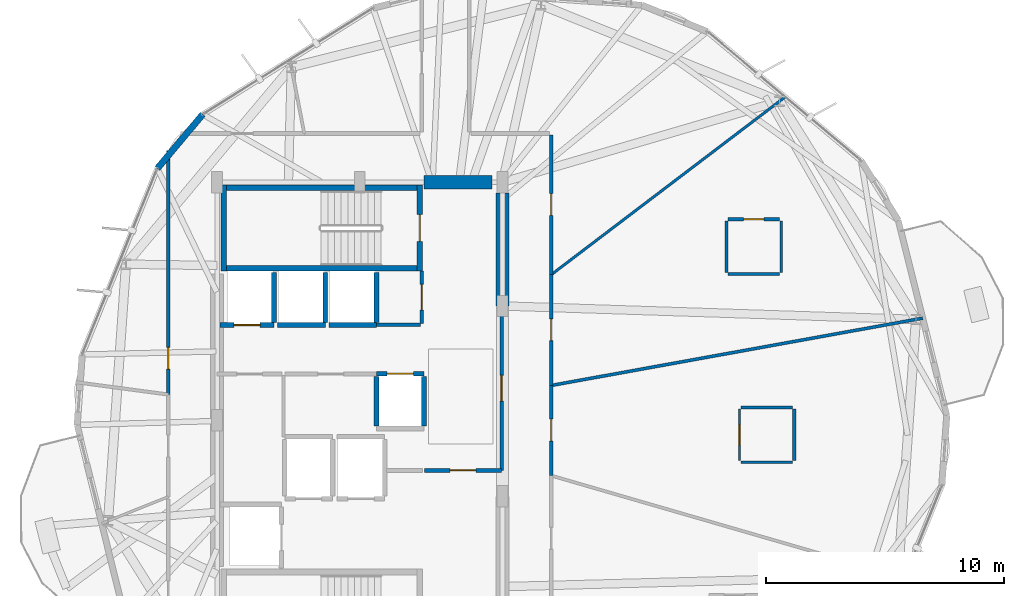
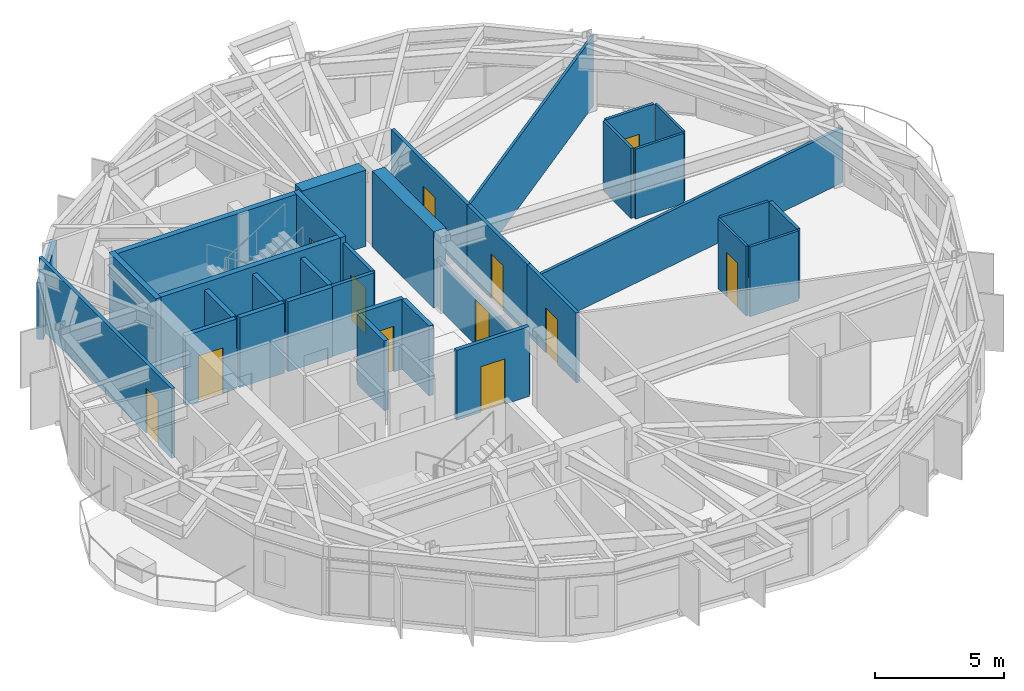
# One storey, part 17 of 22: 34 walls, 12 doors, 12 openings.
"""IFC4 building model written with IfcOpenShell, lengths in metres."""

from ifc_helpers import new_model, si_unit, direction, frame, frame_2d, origin, place, context, subcontext, project, spatial, rectangle, extrude, material, layer, layer_set, type_object, element, fill, save


model = new_model("IFC4")

# Units and contexts
model_context = context("Model", 3, precision=1e-05, world=origin(), true_north=direction((0.0, 1.0)))
body_context = subcontext(model_context, "Body", "Model", "MODEL_VIEW")
ifc_project = project(units=[si_unit("LENGTHUNIT", "METRE"), si_unit("AREAUNIT", "SQUARE_METRE"), si_unit("VOLUMEUNIT", "CUBIC_METRE"), si_unit("PLANEANGLEUNIT", "RADIAN"), si_unit("MASSUNIT", "GRAM", prefix="KILO")], contexts=[model_context])

# Site, building, storey
site_placement = place(None, origin())
site = spatial("IfcSite", under=ifc_project, at=site_placement, CompositionType="ELEMENT")
building_placement = place(site_placement, origin())
building = spatial("IfcBuilding", under=site, at=building_placement, Name="Soratama Intermodal Tower", CompositionType="ELEMENT")
storey_placement = place(building_placement, frame((0.0, 0.0, 157.0)))
storey = spatial("IfcBuildingStorey", under=building, at=storey_placement, Name="L38", CompositionType="ELEMENT", Elevation=157.0)

# Wall
ifc_material_1 = material(Name="Concrete f'c 42 MPa", Category="concrete")
ifc_layer_1 = layer(ifc_material_1, 0.27001953125)
ifc_layer_set_1 = layer_set([ifc_layer_1], Name="Concrete f'c 42 MPa")
wall_type_1 = type_object("IfcWallType", Name="EW-CRN-270", PredefinedType="SOLIDWALL", material=ifc_layer_set_1)
wall_1_placement = place(storey_placement, frame((31.9990234375, 37.853515625, 0.0), z_axis=(0.0, 0.0, 1.0), x_axis=(-0.643085925087, -0.765794027762, 0.0)))
element("IfcWall", 1, at=wall_1_placement, inside=storey, type_object=wall_type_1, Name="L38 Corner Closure Wall 03", PredefinedType="SOLIDWALL", context=body_context, shape_type="SweptSolid", body=[
    extrude(rectangle(XDim=2.966552734375, YDim=0.27001953125, at=frame_2d((1.4833984375, 0.0))), origin(), (0.0, 0.0, 1.0), 2.678955078125),
])

# Wall, opening, door
ifc_material_2 = material(Name="Fire-rated gypsum stud partition", Category="concrete")
ifc_layer_2 = layer(ifc_material_2, 0.14990234375)
ifc_layer_set_2 = layer_set([ifc_layer_2], Name="Fire-rated gypsum stud partition")
wall_type_2 = type_object("IfcWallType", Name="IW-PART-R150", PredefinedType="PARTITIONING", material=ifc_layer_set_2)
wall_2_placement = place(storey_placement, frame((30.550048828125, 26.076904296875, 0.0), z_axis=(0.0, 0.0, 1.0), x_axis=(0.0, 1.0, 0.0)))
wall_2 = element("IfcWall", 2, at=wall_2_placement, inside=storey, type_object=wall_type_2, Name="L38 Partition W-L38-TP005", PredefinedType="PARTITIONING", context=body_context, shape_type="SweptSolid", body=[
    extrude(rectangle(XDim=10.26708984375, YDim=0.14990234375, at=frame_2d((5.133544921875, 0.0))), origin(), (0.0, 0.0, 1.0), 3.300048828125),
])
opening_1_placement = place(wall_2_placement, frame((1.06494140625, 0.0, 0.0)))
opening_1 = element("IfcOpeningElement", 3, at=opening_1_placement, cuts=wall_2, Name="Opening ID-6", PredefinedType="OPENING", context=body_context, shape_type="SweptSolid", body=[
    extrude(rectangle(XDim=0.919921875, YDim=2.1201171875, at=frame_2d((0.4599609375, 1.06005859375))), frame((0.0, 0.0849609375, 0.0), z_axis=(0.0, -1.0, 0.0), x_axis=(1.0, 0.0, 0.0)), (0.0, 0.0, 1.0), 0.169921875),
])
ifc_material_3 = material(Name="Solid hardwood acoustic door", Category="wood")
door_type_1 = type_object("IfcDoorType", Name="DR-ROOM-920", OperationType="NOTDEFINED", PredefinedType="DOOR", material=ifc_material_3)
door_1_placement = place(opening_1_placement, origin())
door_1 = element("IfcDoor", 4, at=door_1_placement, inside=storey, type_object=door_type_1, Name="L38 Door D-L38-TP001", OperationType="SINGLE_SWING_RIGHT", OverallHeight=2.1201171875, OverallWidth=0.919921875, PredefinedType="DOOR", context=body_context, shape_type="SweptSolid", body=[
    extrude(rectangle(XDim=0.919921875, YDim=2.1201171875, at=frame_2d((0.4599609375, 1.06005859375))), frame((0.0, 0.02490234375, 0.0), z_axis=(0.0, -1.0, 0.0), x_axis=(1.0, 0.0, 0.0)), (0.0, 0.0, 1.0), 0.050048828125),
])
fill(opening_1, door_1)

wall_3_placement = place(storey_placement, frame((44.56005859375, 29.800048828125, 0.0), z_axis=(0.0, 0.0, 1.0), x_axis=(0.0, -1.0, 0.0)))
wall_3 = element("IfcWall", 5, at=wall_3_placement, inside=storey, type_object=wall_type_2, Name="L38 Partition W-L38-TP007", PredefinedType="PARTITIONING", context=body_context, shape_type="SweptSolid", body=[
    extrude(rectangle(XDim=6.91015625, YDim=0.14990234375, at=frame_2d((3.455078125, 0.0))), origin(), (0.0, 0.0, 1.0), 2.340087890625),
])
opening_2_placement = place(wall_3_placement, frame((2.9150390625, 0.0, 0.0)))
opening_2 = element("IfcOpeningElement", 6, at=opening_2_placement, cuts=wall_3, Name="Opening ID-1", PredefinedType="OPENING", context=body_context, shape_type="SweptSolid", body=[
    extrude(rectangle(XDim=1.080078125, YDim=2.14990234375, at=frame_2d((0.5400390625, 1.074951171875))), frame((0.0, 0.0849609375, 0.0), z_axis=(0.0, -1.0, 0.0), x_axis=(1.0, 0.0, 0.0)), (0.0, 0.0, 1.0), 0.169921875),
])
ifc_material_4 = material(Name="Solid hardwood acoustic door", Category="wood")
door_type_2 = type_object("IfcDoorType", Name="DR-LOB-FD60", OperationType="NOTDEFINED", PredefinedType="DOOR", material=ifc_material_4)
door_2_placement = place(opening_2_placement, origin())
door_2 = element("IfcDoor", 7, at=door_2_placement, inside=storey, type_object=door_type_2, Name="L38 Door D-L38-TP003", OperationType="SINGLE_SWING_RIGHT", OverallHeight=2.14990234375, OverallWidth=1.080078125, PredefinedType="DOOR", context=body_context, shape_type="SweptSolid", body=[
    extrude(rectangle(XDim=1.080078125, YDim=2.14990234375, at=frame_2d((0.5400390625, 1.074951171875))), frame((0.0, 0.02490234375, 0.0), z_axis=(0.0, -1.0, 0.0), x_axis=(1.0, 0.0, 0.0)), (0.0, 0.0, 1.0), 0.050048828125),
])
fill(opening_2, door_2)

wall_4_placement = place(storey_placement, frame((46.64990234375, 36.97998046875, 0.0), z_axis=(0.0, 0.0, 1.0), x_axis=(0.0, -1.0, 0.0)))
wall_4 = element("IfcWall", 8, at=wall_4_placement, inside=storey, type_object=wall_type_2, Name="L38 Partition W-L38-TP009", PredefinedType="PARTITIONING", context=body_context, shape_type="SweptSolid", body=[
    extrude(rectangle(XDim=5.864990234375, YDim=0.14990234375, at=frame_2d((2.9326171875, 0.0))), origin(), (0.0, 0.0, 1.0), 3.300048828125),
])
opening_3_placement = place(wall_4_placement, frame((2.45703125, 0.0, 0.0)))
opening_3 = element("IfcOpeningElement", 9, at=opening_3_placement, cuts=wall_4, Name="Opening ID-6", PredefinedType="OPENING", context=body_context, shape_type="SweptSolid", body=[
    extrude(rectangle(XDim=0.919921875, YDim=2.1201171875, at=frame_2d((0.4599609375, 1.06005859375))), frame((0.0, 0.0849609375, 0.0), z_axis=(0.0, -1.0, 0.0), x_axis=(1.0, 0.0, 0.0)), (0.0, 0.0, 1.0), 0.169921875),
])
door_3_placement = place(opening_3_placement, origin())
door_3 = element("IfcDoor", 10, at=door_3_placement, inside=storey, type_object=door_type_1, Name="L38 Door D-L38-TP005", OperationType="SINGLE_SWING_RIGHT", OverallHeight=2.1201171875, OverallWidth=0.919921875, PredefinedType="DOOR", context=body_context, shape_type="SweptSolid", body=[
    extrude(rectangle(XDim=0.919921875, YDim=2.1201171875, at=frame_2d((0.4599609375, 1.06005859375))), frame((0.0, 0.02490234375, 0.0), z_axis=(0.0, -1.0, 0.0), x_axis=(1.0, 0.0, 0.0)), (0.0, 0.0, 1.0), 0.050048828125),
])
fill(opening_3, door_3)

wall_5_placement = place(storey_placement, frame((46.64990234375, 31.114990234375, 0.0), z_axis=(0.0, 0.0, 1.0), x_axis=(0.0, -1.0, 0.0)))
wall_5 = element("IfcWall", 11, at=wall_5_placement, inside=storey, type_object=wall_type_2, Name="L38 Partition W-L38-TP018", PredefinedType="PARTITIONING", context=body_context, shape_type="SweptSolid", body=[
    extrude(rectangle(XDim=4.656982421875, YDim=0.14990234375, at=frame_2d((2.32861328125, 0.0))), origin(), (0.0, 0.0, 1.0), 3.300048828125),
])
opening_4_placement = place(wall_5_placement, frame((1.85302734375, 0.0, 0.0)))
opening_4 = element("IfcOpeningElement", 12, at=opening_4_placement, cuts=wall_5, Name="Opening ID-6", PredefinedType="OPENING", context=body_context, shape_type="SweptSolid", body=[
    extrude(rectangle(XDim=0.919921875, YDim=2.1201171875, at=frame_2d((0.4599609375, 1.06005859375))), frame((0.0, 0.0849609375, 0.0), z_axis=(0.0, -1.0, 0.0), x_axis=(1.0, 0.0, 0.0)), (0.0, 0.0, 1.0), 0.169921875),
])
door_4_placement = place(opening_4_placement, origin())
door_4 = element("IfcDoor", 13, at=door_4_placement, inside=storey, type_object=door_type_1, Name="L38 Door D-L38-TP011", OperationType="SINGLE_SWING_RIGHT", OverallHeight=2.1201171875, OverallWidth=0.919921875, PredefinedType="DOOR", context=body_context, shape_type="SweptSolid", body=[
    extrude(rectangle(XDim=0.919921875, YDim=2.1201171875, at=frame_2d((0.4599609375, 1.06005859375))), frame((0.0, 0.02490234375, 0.0), z_axis=(0.0, -1.0, 0.0), x_axis=(1.0, 0.0, 0.0)), (0.0, 0.0, 1.0), 0.050048828125),
])
fill(opening_4, door_4)

wall_6_placement = place(storey_placement, frame((46.64990234375, 26.4580078125, 0.0), z_axis=(0.0, 0.0, 1.0), x_axis=(0.0, -1.0, 0.0)))
wall_6 = element("IfcWall", 14, at=wall_6_placement, inside=storey, type_object=wall_type_2, Name="L38 Partition W-L38-TP023", PredefinedType="PARTITIONING", context=body_context, shape_type="SweptSolid", body=[
    extrude(rectangle(XDim=3.7900390625, YDim=0.14990234375, at=frame_2d((1.89501953125, 0.0))), origin(), (0.0, 0.0, 1.0), 3.300048828125),
])
opening_5_placement = place(wall_6_placement, frame((1.419921875, 0.0, 0.0)))
opening_5 = element("IfcOpeningElement", 15, at=opening_5_placement, cuts=wall_6, Name="Opening ID-6", PredefinedType="OPENING", context=body_context, shape_type="SweptSolid", body=[
    extrude(rectangle(XDim=0.919921875, YDim=2.1201171875, at=frame_2d((0.4599609375, 1.06005859375))), frame((0.0, 0.0849609375, 0.0), z_axis=(0.0, -1.0, 0.0), x_axis=(1.0, 0.0, 0.0)), (0.0, 0.0, 1.0), 0.169921875),
])
door_5_placement = place(opening_5_placement, origin())
door_5 = element("IfcDoor", 16, at=door_5_placement, inside=storey, type_object=door_type_1, Name="L38 Door D-L38-TP014", OperationType="SINGLE_SWING_LEFT", OverallHeight=2.1201171875, OverallWidth=0.919921875, PredefinedType="DOOR", context=body_context, shape_type="SweptSolid", body=[
    extrude(rectangle(XDim=0.919921875, YDim=2.1201171875, at=frame_2d((0.4599609375, 1.06005859375))), frame((0.0, 0.02490234375, 0.0), z_axis=(0.0, -1.0, 0.0), x_axis=(1.0, 0.0, 0.0)), (0.0, 0.0, 1.0), 0.050048828125),
])
fill(opening_5, door_5)

wall_7_placement = place(storey_placement, frame((41.199951171875, 29.070068359375, 0.0), z_axis=(0.0, 0.0, 1.0), x_axis=(0.0, 1.0, 0.0)))
wall_7 = element("IfcWall", 17, at=wall_7_placement, inside=storey, type_object=wall_type_2, Name="L38 Partition W-L38-TP032", PredefinedType="PARTITIONING", context=body_context, shape_type="SweptSolid", body=[
    extrude(rectangle(XDim=2.18994140625, YDim=0.14990234375, at=frame_2d((1.094970703125, 0.0))), origin(), (0.0, 0.0, 1.0), 3.300048828125),
])
opening_6_placement = place(wall_7_placement, frame((0.554931640625, 0.0, 0.0)))
opening_6 = element("IfcOpeningElement", 18, at=opening_6_placement, cuts=wall_7, Name="Opening ID-1", PredefinedType="OPENING", context=body_context, shape_type="SweptSolid", body=[
    extrude(rectangle(XDim=1.080078125, YDim=2.14990234375, at=frame_2d((0.5400390625, 1.074951171875))), frame((0.0, 0.0849609375, 0.0), z_axis=(0.0, -1.0, 0.0), x_axis=(1.0, 0.0, 0.0)), (0.0, 0.0, 1.0), 0.169921875),
])
door_6_placement = place(opening_6_placement, origin())
door_6 = element("IfcDoor", 19, at=door_6_placement, inside=storey, type_object=door_type_2, Name="L38 Door D-L38-TP017", OperationType="SINGLE_SWING_RIGHT", OverallHeight=2.14990234375, OverallWidth=1.080078125, PredefinedType="DOOR", context=body_context, shape_type="SweptSolid", body=[
    extrude(rectangle(XDim=1.080078125, YDim=2.14990234375, at=frame_2d((0.5400390625, 1.074951171875))), frame((0.0, 0.02490234375, 0.0), z_axis=(0.0, -1.0, 0.0), x_axis=(1.0, 0.0, 0.0)), (0.0, 0.0, 1.0), 0.050048828125),
])
fill(opening_6, door_6)

# Wall
wall_8_placement = place(storey_placement, frame((39.300048828125, 29.010009765625, 0.0), z_axis=(0.0, 0.0, 1.0), x_axis=(1.0, 0.0, 0.0)))
element("IfcWall", 20, at=wall_8_placement, inside=storey, type_object=wall_type_2, Name="L38 Partition W-L38-TP049", PredefinedType="PARTITIONING", context=body_context, shape_type="SweptSolid", body=[
    extrude(rectangle(XDim=1.85986328125, YDim=0.14990234375, at=frame_2d((0.929931640625, 0.0))), origin(), (0.0, 0.0, 1.0), 3.300048828125),
])

# Wall, opening, door
ifc_material_5 = material(Name="Fire-rated gypsum stud partition", Category="concrete")
ifc_layer_3 = layer(ifc_material_5, 0.169921875)
ifc_layer_set_3 = layer_set([ifc_layer_3], Name="Fire-rated gypsum stud partition")
wall_type_3 = type_object("IfcWallType", Name="IW-PART-R170", PredefinedType="PARTITIONING", material=ifc_layer_set_3)
wall_9_placement = place(storey_placement, frame((41.320068359375, 22.889892578125, 0.0), z_axis=(0.0, 0.0, 1.0), x_axis=(1.0, 0.0, 0.0)))
wall_9 = element("IfcWall", 21, at=wall_9_placement, inside=storey, type_object=wall_type_3, Name="L38 Partition W-L38-TP026", PredefinedType="PARTITIONING", context=body_context, shape_type="SweptSolid", body=[
    extrude(rectangle(XDim=3.239990234375, YDim=0.169921875, at=frame_2d((1.6201171875, 0.0))), origin(), (0.0, 0.0, 1.0), 3.300048828125),
])
opening_7_placement = place(wall_9_placement, frame((1.080078125, 0.0, 0.0)))
opening_7 = element("IfcOpeningElement", 22, at=opening_7_placement, cuts=wall_9, Name="Opening ID-0", PredefinedType="OPENING", context=body_context, shape_type="SweptSolid", body=[
    extrude(rectangle(XDim=1.080078125, YDim=2.14990234375, at=frame_2d((0.5400390625, 1.074951171875))), frame((0.0, 0.094970703125, 0.0), z_axis=(0.0, -1.0, 0.0), x_axis=(1.0, 0.0, 0.0)), (0.0, 0.0, 1.0), 0.18994140625),
])
ifc_material_6 = material(Name="Solid hardwood acoustic door", Category="wood")
door_type_3 = type_object("IfcDoorType", Name="DR-LOB-FD90", OperationType="NOTDEFINED", PredefinedType="DOOR", material=ifc_material_6)
door_7_placement = place(opening_7_placement, origin())
door_7 = element("IfcDoor", 23, at=door_7_placement, inside=storey, type_object=door_type_3, Name="L38 Door D-L38-TP015", OperationType="SINGLE_SWING_RIGHT", OverallHeight=2.14990234375, OverallWidth=1.080078125, PredefinedType="DOOR", context=body_context, shape_type="SweptSolid", body=[
    extrude(rectangle(XDim=1.080078125, YDim=2.14990234375, at=frame_2d((0.5400390625, 1.074951171875))), frame((0.0, 0.02490234375, 0.0), z_axis=(0.0, -1.0, 0.0), x_axis=(1.0, 0.0, 0.0)), (0.0, 0.0, 1.0), 0.050048828125),
])
fill(opening_7, door_7)

ifc_material_7 = material(Name="Fire-rated gypsum stud partition", Category="concrete")
ifc_layer_4 = layer(ifc_material_7, 0.10009765625)
ifc_layer_set_4 = layer_set([ifc_layer_4], Name="Fire-rated gypsum stud partition")
wall_type_4 = type_object("IfcWallType", Name="IW-PART-S100", PredefinedType="PARTITIONING", material=ifc_layer_set_4)
wall_10_placement = place(storey_placement, frame((54.56298828125, 25.4599609375, 0.0), z_axis=(0.0, 0.0, 1.0), x_axis=(0.0, -1.0, 0.0)))
wall_10 = element("IfcWall", 24, at=wall_10_placement, inside=storey, type_object=wall_type_4, Name="L38 Partition W-L38-TP039", PredefinedType="PARTITIONING", context=body_context, shape_type="SweptSolid", body=[
    extrude(rectangle(XDim=2.159912109375, YDim=0.10009765625, at=frame_2d((1.080078125, 0.0))), origin(), (0.0, 0.0, 1.0), 3.300048828125),
])
opening_8_placement = place(wall_10_placement, frame((0.655029296875, 0.0, 0.0)))
opening_8 = element("IfcOpeningElement", 25, at=opening_8_placement, cuts=wall_10, Name="Opening ID-4", PredefinedType="OPENING", context=body_context, shape_type="SweptSolid", body=[
    extrude(rectangle(XDim=0.85009765625, YDim=2.10009765625, at=frame_2d((0.425048828125, 1.050048828125))), frame((0.0, 0.06005859375, 0.0), z_axis=(0.0, -1.0, 0.0), x_axis=(1.0, 0.0, 0.0)), (0.0, 0.0, 1.0), 0.1201171875),
])
ifc_material_8 = material(Name="Solid hardwood acoustic door", Category="wood")
door_type_4 = type_object("IfcDoorType", Name="DR-BATH-850", OperationType="NOTDEFINED", PredefinedType="DOOR", material=ifc_material_8)
door_8_placement = place(opening_8_placement, origin())
door_8 = element("IfcDoor", 26, at=door_8_placement, inside=storey, type_object=door_type_4, Name="L38 Door D-L38-TP020", OperationType="SINGLE_SWING_LEFT", OverallHeight=2.10009765625, OverallWidth=0.85009765625, PredefinedType="DOOR", context=body_context, shape_type="SweptSolid", body=[
    extrude(rectangle(XDim=0.85009765625, YDim=2.10009765625, at=frame_2d((0.425048828125, 1.050048828125))), frame((0.0, 0.02490234375, 0.0), z_axis=(0.0, -1.0, 0.0), x_axis=(1.0, 0.0, 0.0)), (0.0, 0.0, 1.0), 0.050048828125),
])
fill(opening_8, door_8)

# Walls
wall_11_placement = place(storey_placement, frame((56.31689453125, 31.216064453125, 0.0), z_axis=(0.0, 0.0, 1.0), x_axis=(0.0, 1.0, 0.0)))
element("IfcWall", 27, at=wall_11_placement, inside=storey, type_object=wall_type_4, Name="L38 Partition W-L38-TP044", PredefinedType="PARTITIONING", context=body_context, shape_type="SweptSolid", body=[
    extrude(rectangle(XDim=2.159912109375, YDim=0.10009765625, at=frame_2d((1.080078125, 0.0))), origin(), (0.0, 0.0, 1.0), 3.300048828125),
])
ifc_material_9 = material(Name="Fire-rated gypsum stud partition", Category="concrete")
ifc_layer_5 = layer(ifc_material_9, 0.110107421875)
ifc_layer_set_5 = layer_set([ifc_layer_5], Name="Fire-rated gypsum stud partition")
wall_type_5 = type_object("IfcWallType", Name="IW-PART-S110", PredefinedType="PARTITIONING", material=ifc_layer_set_5)
wall_12_placement = place(storey_placement, frame((46.64990234375, 31.114990234375, 0.0), z_axis=(0.0, 0.0, 1.0), x_axis=(0.796312645744, 0.60488525377, 0.0)))
element("IfcWall", 28, at=wall_12_placement, inside=storey, type_object=wall_type_5, Name="L38 Partition W-L38-TP003", PredefinedType="PARTITIONING", context=body_context, shape_type="SweptSolid", body=[
    extrude(rectangle(XDim=12.349365234375, YDim=0.110107421875, at=frame_2d((6.1748046875, 0.0))), origin(), (0.0, 0.0, 1.0), 3.300048828125),
])
wall_13_placement = place(storey_placement, frame((54.0869140625, 31.14599609375, 0.0), z_axis=(0.0, 0.0, 1.0), x_axis=(1.0, 0.0, 0.0)))
element("IfcWall", 29, at=wall_13_placement, inside=storey, type_object=wall_type_5, Name="L38 Partition W-L38-TP043", PredefinedType="PARTITIONING", context=body_context, shape_type="SweptSolid", body=[
    extrude(rectangle(XDim=2.16015625, YDim=0.110107421875, at=frame_2d((1.080078125, 0.0))), origin(), (0.0, 0.0, 1.0), 3.300048828125),
])
wall_14_placement = place(storey_placement, frame((54.633056640625, 23.22998046875, 0.0), z_axis=(0.0, 0.0, 1.0), x_axis=(1.0, 0.0, 0.0)))
element("IfcWall", 30, at=wall_14_placement, inside=storey, type_object=wall_type_5, Name="L38 Partition W-L38-TP048", PredefinedType="PARTITIONING", context=body_context, shape_type="SweptSolid", body=[
    extrude(rectangle(XDim=2.159912109375, YDim=0.110107421875, at=frame_2d((1.080078125, 0.0))), origin(), (0.0, 0.0, 1.0), 3.300048828125),
])
ifc_material_10 = material(Name="Fire-rated gypsum stud partition", Category="concrete")
ifc_layer_6 = layer(ifc_material_10, 0.1201171875)
ifc_layer_set_6 = layer_set([ifc_layer_6], Name="Fire-rated gypsum stud partition")
wall_type_6 = type_object("IfcWallType", Name="IW-PART-S120", PredefinedType="PARTITIONING", material=ifc_layer_set_6)
for number, where, z_axis, x_axis, name in (
    (31, (54.01708984375, 33.3759765625, 0.0), (0.0, 0.0, 1.0), (0.0, -1.0, 0.0), "L38 Partition W-L38-TP042"),
    (32, (56.79296875, 25.530029296875, 0.0), (0.0, 0.0, 1.0), (-1.0, 0.0, 0.0), "L38 Partition W-L38-TP047"),
):
    element("IfcWall", number, at=place(storey_placement, frame(where, z_axis=z_axis, x_axis=x_axis)), inside=storey, type_object=wall_type_6, Name=name, PredefinedType="PARTITIONING", context=body_context, shape_type="SweptSolid", body=[
        extrude(rectangle(XDim=2.159912109375, YDim=0.1201171875, at=frame_2d((1.080078125, 0.0))), origin(), (0.0, 0.0, 1.0), 3.300048828125),
    ])
ifc_material_11 = material(Name="Fire-rated gypsum stud partition", Category="concrete")
ifc_layer_7 = layer(ifc_material_11, 0.1298828125)
ifc_layer_set_7 = layer_set([ifc_layer_7], Name="Fire-rated gypsum stud partition")
wall_type_7 = type_object("IfcWallType", Name="IW-PART-S130", PredefinedType="PARTITIONING", material=ifc_layer_set_7)
wall_15_placement = place(storey_placement, frame((62.263916015625, 29.285888671875, 0.0), z_axis=(0.0, 0.0, 1.0), x_axis=(-0.98399202702, -0.178212487671, 0.0)))
element("IfcWall", 33, at=wall_15_placement, inside=storey, type_object=wall_type_7, Name="L38 Partition W-L38-TP001", PredefinedType="PARTITIONING", context=body_context, shape_type="SweptSolid", body=[
    extrude(rectangle(XDim=15.867919921875, YDim=0.1298828125, at=frame_2d((7.93408203125, 0.0))), origin(), (0.0, 0.0, 1.0), 2.594970703125),
])

# Wall, opening, door
wall_16_placement = place(storey_placement, frame((56.2470703125, 33.446044921875, 0.0), z_axis=(0.0, 0.0, 1.0), x_axis=(-1.0, 0.0, 0.0)))
wall_16 = element("IfcWall", 34, at=wall_16_placement, inside=storey, type_object=wall_type_7, Name="L38 Partition W-L38-TP041", PredefinedType="PARTITIONING", context=body_context, shape_type="SweptSolid", body=[
    extrude(rectangle(XDim=2.16015625, YDim=0.1298828125, at=frame_2d((1.080078125, 0.0))), origin(), (0.0, 0.0, 1.0), 3.300048828125),
])
opening_9_placement = place(wall_16_placement, frame((0.655029296875, 0.0, 0.0)))
opening_9 = element("IfcOpeningElement", 35, at=opening_9_placement, cuts=wall_16, Name="Opening ID-4", PredefinedType="OPENING", context=body_context, shape_type="SweptSolid", body=[
    extrude(rectangle(XDim=0.85009765625, YDim=2.10009765625, at=frame_2d((0.425048828125, 1.050048828125))), frame((0.0, 0.074951171875, 0.0), z_axis=(0.0, -1.0, 0.0), x_axis=(1.0, 0.0, 0.0)), (0.0, 0.0, 1.0), 0.14990234375),
])
door_9_placement = place(opening_9_placement, origin())
door_9 = element("IfcDoor", 36, at=door_9_placement, inside=storey, type_object=door_type_4, Name="L38 Door D-L38-TP021", OperationType="SINGLE_SWING_RIGHT", OverallHeight=2.10009765625, OverallWidth=0.85009765625, PredefinedType="DOOR", context=body_context, shape_type="SweptSolid", body=[
    extrude(rectangle(XDim=0.85009765625, YDim=2.10009765625, at=frame_2d((0.425048828125, 1.050048828125))), frame((0.0, 0.02490234375, 0.0), z_axis=(0.0, -1.0, 0.0), x_axis=(1.0, 0.0, 0.0)), (0.0, 0.0, 1.0), 0.050048828125),
])
fill(opening_9, door_9)

# Wall
ifc_material_12 = material(Name="Fire-rated gypsum stud partition", Category="concrete")
ifc_layer_8 = layer(ifc_material_12, 0.139892578125)
ifc_layer_set_8 = layer_set([ifc_layer_8], Name="Fire-rated gypsum stud partition")
wall_type_8 = type_object("IfcWallType", Name="IW-PART-S140", PredefinedType="PARTITIONING", material=ifc_layer_set_8)
wall_17_placement = place(storey_placement, frame((56.863037109375, 23.300048828125, 0.0), z_axis=(0.0, 0.0, 1.0), x_axis=(0.0, 1.0, 0.0)))
element("IfcWall", 37, at=wall_17_placement, inside=storey, type_object=wall_type_8, Name="L38 Partition W-L38-TP040", PredefinedType="PARTITIONING", context=body_context, shape_type="SweptSolid", body=[
    extrude(rectangle(XDim=2.159912109375, YDim=0.139892578125, at=frame_2d((1.080078125, 0.0))), origin(), (0.0, 0.0, 1.0), 3.300048828125),
])

# Wall, opening, door
ifc_material_13 = material(Name="Concrete f'c 42 MPa", Category="concrete")
ifc_layer_9 = layer(ifc_material_13, 0.199951171875)
ifc_layer_set_9 = layer_set([ifc_layer_9], Name="Concrete f'c 42 MPa")
wall_type_9 = type_object("IfcWallType", Name="IW-SHAFT-200", PredefinedType="SOLIDWALL", material=ifc_layer_set_9)
wall_18_placement = place(storey_placement, frame((39.300048828125, 26.949951171875, 0.0), z_axis=(0.0, 0.0, 1.0), x_axis=(1.0, 0.0, 0.0)))
wall_18 = element("IfcWall", 38, at=wall_18_placement, inside=storey, type_object=wall_type_9, Name="L38 PL-M1 Hoistway Wall N", PredefinedType="SOLIDWALL", context=body_context, shape_type="SweptSolid", body=[
    extrude(rectangle(XDim=2.0, YDim=0.199951171875, at=frame_2d((1.0, 0.0))), origin(), (0.0, 0.0, 1.0), 3.300048828125),
])
opening_10_placement = place(wall_18_placement, frame((0.449951171875, 0.0, 0.0)))
opening_10 = element("IfcOpeningElement", 39, at=opening_10_placement, cuts=wall_18, Name="Opening LD-1", PredefinedType="OPENING", context=body_context, shape_type="SweptSolid", body=[
    extrude(rectangle(XDim=1.10009765625, YDim=2.14990234375, at=frame_2d((0.550048828125, 1.074951171875))), frame((0.0, 0.10986328125, 0.0), z_axis=(0.0, -1.0, 0.0), x_axis=(1.0, 0.0, 0.0)), (0.0, 0.0, 1.0), 0.219970703125),
])
ifc_material_14 = material(Name="Steel fire door", Category="steel")
door_type_5 = type_object("IfcDoorType", Name="DR-LIFT-SLIDE", OperationType="NOTDEFINED", PredefinedType="DOOR", material=ifc_material_14)
door_10_placement = place(opening_10_placement, origin())
door_10 = element("IfcDoor", 40, at=door_10_placement, inside=storey, type_object=door_type_5, Name="L38 PL-M1 Sliding Landing Door", OperationType="SLIDING_TO_LEFT", OverallHeight=2.14990234375, OverallWidth=1.10009765625, PredefinedType="DOOR", context=body_context, shape_type="SweptSolid", body=[
    extrude(rectangle(XDim=1.10009765625, YDim=2.14990234375, at=frame_2d((0.550048828125, 1.074951171875))), frame((0.0, 0.02490234375, 0.0), z_axis=(0.0, -1.0, 0.0), x_axis=(1.0, 0.0, 0.0)), (0.0, 0.0, 1.0), 0.050048828125),
])
fill(opening_10, door_10)

# Walls
for number, where, z_axis, x_axis, name in (
    (41, (39.300048828125, 24.760009765625, 0.0), (0.0, 0.0, 1.0), (0.0, 1.0, 0.0), "L38 PL-M1 Hoistway Wall W"),
    (42, (41.300048828125, 24.760009765625, 0.0), (0.0, 0.0, 1.0), (0.0, 1.0, 0.0), "L38 PL-M1 Hoistway Wall E"),
):
    element("IfcWall", number, at=place(storey_placement, frame(where, z_axis=z_axis, x_axis=x_axis)), inside=storey, type_object=wall_type_9, Name=name, PredefinedType="SOLIDWALL", context=body_context, shape_type="SweptSolid", body=[
        extrude(rectangle(XDim=2.080078125, YDim=0.199951171875, at=frame_2d((1.0400390625, 0.0))), origin(), (0.0, 0.0, 1.0), 3.300048828125),
    ])

# Wall, opening, door
wall_19_placement = place(storey_placement, frame((32.719970703125, 29.0, 0.0), z_axis=(0.0, 0.0, 1.0), x_axis=(1.0, 0.0, 0.0)))
wall_19 = element("IfcWall", 43, at=wall_19_placement, inside=storey, type_object=wall_type_9, Name="L38 PL-M2 Hoistway Wall S", PredefinedType="SOLIDWALL", context=body_context, shape_type="SweptSolid", body=[
    extrude(rectangle(XDim=2.280029296875, YDim=0.199951171875, at=frame_2d((1.14013671875, 0.0))), origin(), (0.0, 0.0, 1.0), 3.300048828125),
])
opening_11_placement = place(wall_19_placement, frame((0.590087890625, 0.0, 0.0)))
opening_11 = element("IfcOpeningElement", 44, at=opening_11_placement, cuts=wall_19, Name="Opening LD-1", PredefinedType="OPENING", context=body_context, shape_type="SweptSolid", body=[
    extrude(rectangle(XDim=1.10009765625, YDim=2.14990234375, at=frame_2d((0.550048828125, 1.074951171875))), frame((0.0, 0.10986328125, 0.0), z_axis=(0.0, -1.0, 0.0), x_axis=(1.0, 0.0, 0.0)), (0.0, 0.0, 1.0), 0.219970703125),
])
door_11_placement = place(opening_11_placement, origin())
door_11 = element("IfcDoor", 45, at=door_11_placement, inside=storey, type_object=door_type_5, Name="L38 PL-M2 Sliding Landing Door", OperationType="SLIDING_TO_LEFT", OverallHeight=2.14990234375, OverallWidth=1.10009765625, PredefinedType="DOOR", context=body_context, shape_type="SweptSolid", body=[
    extrude(rectangle(XDim=1.10009765625, YDim=2.14990234375, at=frame_2d((0.550048828125, 1.074951171875))), frame((0.0, 0.02490234375, 0.0), z_axis=(0.0, -1.0, 0.0), x_axis=(1.0, 0.0, 0.0)), (0.0, 0.0, 1.0), 0.050048828125),
])
fill(opening_11, door_11)

# Walls
wall_20_placement = place(storey_placement, frame((35.0, 29.110107421875, 0.0), z_axis=(0.0, 0.0, 1.0), x_axis=(0.0, 1.0, 0.0)))
element("IfcWall", 46, at=wall_20_placement, inside=storey, type_object=wall_type_9, Name="L38 PL-M2 Hoistway Wall E", PredefinedType="SOLIDWALL", context=body_context, shape_type="SweptSolid", body=[
    extrude(rectangle(XDim=2.099853515625, YDim=0.199951171875, at=frame_2d((1.0498046875, 0.0))), origin(), (0.0, 0.0, 1.0), 3.300048828125),
])
wall_21_placement = place(storey_placement, frame((35.14990234375, 29.0, 0.0), z_axis=(0.0, 0.0, 1.0), x_axis=(1.0, 0.0, 0.0)))
element("IfcWall", 47, at=wall_21_placement, inside=storey, type_object=wall_type_9, Name="L38 PL-H1 Hoistway Wall S", PredefinedType="SOLIDWALL", context=body_context, shape_type="SweptSolid", body=[
    extrude(rectangle(XDim=2.0, YDim=0.199951171875, at=frame_2d((1.0, 0.0))), origin(), (0.0, 0.0, 1.0), 3.300048828125),
])
wall_22_placement = place(storey_placement, frame((37.14990234375, 29.110107421875, 0.0), z_axis=(0.0, 0.0, 1.0), x_axis=(0.0, 1.0, 0.0)))
element("IfcWall", 48, at=wall_22_placement, inside=storey, type_object=wall_type_9, Name="L38 PL-H1 Hoistway Wall E", PredefinedType="SOLIDWALL", context=body_context, shape_type="SweptSolid", body=[
    extrude(rectangle(XDim=2.099853515625, YDim=0.199951171875, at=frame_2d((1.0498046875, 0.0))), origin(), (0.0, 0.0, 1.0), 3.300048828125),
])
wall_23_placement = place(storey_placement, frame((37.300048828125, 29.0, 0.0), z_axis=(0.0, 0.0, 1.0), x_axis=(1.0, 0.0, 0.0)))
element("IfcWall", 49, at=wall_23_placement, inside=storey, type_object=wall_type_9, Name="L38 PL-H2 Hoistway Wall S", PredefinedType="SOLIDWALL", context=body_context, shape_type="SweptSolid", body=[
    extrude(rectangle(XDim=2.0, YDim=0.199951171875, at=frame_2d((1.0, 0.0))), origin(), (0.0, 0.0, 1.0), 3.300048828125),
])
wall_24_placement = place(storey_placement, frame((39.300048828125, 29.110107421875, 0.0), z_axis=(0.0, 0.0, 1.0), x_axis=(0.0, 1.0, 0.0)))
element("IfcWall", 50, at=wall_24_placement, inside=storey, type_object=wall_type_9, Name="L38 PL-H2 Hoistway Wall E", PredefinedType="SOLIDWALL", context=body_context, shape_type="SweptSolid", body=[
    extrude(rectangle(XDim=2.099853515625, YDim=0.199951171875, at=frame_2d((1.0498046875, 0.0))), origin(), (0.0, 0.0, 1.0), 3.300048828125),
])
ifc_material_15 = material(Name="Concrete f'c 56 MPa", Category="concrete")
ifc_layer_10 = layer(ifc_material_15, 0.550048828125)
ifc_layer_set_10 = layer_set([ifc_layer_10], Name="Concrete f'c 56 MPa")
wall_type_10 = type_object("IfcWallType", Name="SW-CORE-550", PredefinedType="SHEAR", material=ifc_layer_set_10)
wall_25_placement = place(storey_placement, frame((41.300048828125, 35.0, 0.0), z_axis=(0.0, 0.0, 1.0), x_axis=(1.0, 0.0, 0.0)))
element("IfcWall", 51, at=wall_25_placement, inside=storey, type_object=wall_type_10, Name="L38 Core Shear Wall CW-NE", PredefinedType="SHEAR", context=body_context, shape_type="SweptSolid", body=[
    extrude(rectangle(XDim=2.849853515625, YDim=0.550048828125, at=frame_2d((1.4248046875, 0.0))), origin(), (0.0, 0.0, 1.0), 3.60009765625),
])
wall_26_placement = place(storey_placement, frame((44.60009765625, 29.800048828125, 0.0), z_axis=(0.0, 0.0, 1.0), x_axis=(0.0, 1.0, 0.0)))
element("IfcWall", 52, at=wall_26_placement, inside=storey, type_object=wall_type_10, Name="L38 Core Shear Wall CW-EN", PredefinedType="SHEAR", context=body_context, shape_type="SweptSolid", body=[
    extrude(rectangle(XDim=4.75, YDim=0.550048828125, at=frame_2d((2.375, 0.0))), origin(), (0.0, 0.0, 1.0), 3.60009765625),
])
ifc_material_16 = material(Name="Concrete f'c 56 MPa", Category="concrete")
ifc_layer_11 = layer(ifc_material_16, 0.239990234375)
ifc_layer_set_11 = layer_set([ifc_layer_11], Name="Concrete f'c 56 MPa")
wall_type_11 = type_object("IfcWallType", Name="SW-STAIR-240", PredefinedType="SHEAR", material=ifc_layer_set_11)
wall_27_placement = place(storey_placement, frame((32.8798828125, 31.260009765625, 0.0), z_axis=(0.0, 0.0, 1.0), x_axis=(0.0, 1.0, 0.0)))
element("IfcWall", 53, at=wall_27_placement, inside=storey, type_object=wall_type_11, Name="L38 ST-2 Shaft Shear Wall W", PredefinedType="SHEAR", context=body_context, shape_type="SweptSolid", body=[
    extrude(rectangle(XDim=3.6298828125, YDim=0.239990234375, at=frame_2d((1.81494140625, 0.0))), origin(), (0.0, 0.0, 1.0), 3.60009765625),
])

# Wall, opening, door
wall_28_placement = place(storey_placement, frame((41.1201171875, 31.260009765625, 0.0), z_axis=(0.0, 0.0, 1.0), x_axis=(0.0, 1.0, 0.0)))
wall_28 = element("IfcWall", 54, at=wall_28_placement, inside=storey, type_object=wall_type_11, Name="L38 ST-2 Shaft Shear Wall E", PredefinedType="SHEAR", context=body_context, shape_type="SweptSolid", body=[
    extrude(rectangle(XDim=3.6298828125, YDim=0.239990234375, at=frame_2d((1.81494140625, 0.0))), origin(), (0.0, 0.0, 1.0), 3.60009765625),
])
opening_12_placement = place(wall_28_placement, frame((1.2548828125, 0.0, 0.0)))
opening_12 = element("IfcOpeningElement", 55, at=opening_12_placement, cuts=wall_28, Name="Opening SD-1", PredefinedType="OPENING", context=body_context, shape_type="SweptSolid", body=[
    extrude(rectangle(XDim=1.1201171875, YDim=2.14990234375, at=frame_2d((0.56005859375, 1.074951171875))), frame((0.0, 0.1298828125, 0.0), z_axis=(0.0, -1.0, 0.0), x_axis=(1.0, 0.0, 0.0)), (0.0, 0.0, 1.0), 0.260009765625),
])
ifc_material_17 = material(Name="Steel fire door", Category="steel")
door_type_6 = type_object("IfcDoorType", Name="DR-STAIR-FD90", OperationType="NOTDEFINED", PredefinedType="DOOR", material=ifc_material_17)
door_12_placement = place(opening_12_placement, origin())
door_12 = element("IfcDoor", 56, at=door_12_placement, inside=storey, type_object=door_type_6, Name="L38 ST-2 Exit Stair Door", OperationType="SINGLE_SWING_RIGHT", OverallHeight=2.14990234375, OverallWidth=1.1201171875, PredefinedType="DOOR", context=body_context, shape_type="SweptSolid", body=[
    extrude(rectangle(XDim=1.1201171875, YDim=2.14990234375, at=frame_2d((0.56005859375, 1.074951171875))), frame((0.0, 0.02490234375, 0.0), z_axis=(0.0, -1.0, 0.0), x_axis=(1.0, 0.0, 0.0)), (0.0, 0.0, 1.0), 0.050048828125),
])
fill(opening_12, door_12)

# Walls
for number, where, z_axis, x_axis, name in (
    (57, (33.0, 31.3798828125, 0.0), (0.0, 0.0, 1.0), (1.0, 0.0, 0.0), "L38 ST-2 Shaft Shear Wall S"),
    (58, (33.0, 34.77001953125, 0.0), (0.0, 0.0, 1.0), (1.0, 0.0, 0.0), "L38 ST-2 Shaft Shear Wall N"),
):
    element("IfcWall", number, at=place(storey_placement, frame(where, z_axis=z_axis, x_axis=x_axis)), inside=storey, type_object=wall_type_11, Name=name, PredefinedType="SHEAR", context=body_context, shape_type="SweptSolid", body=[
        extrude(rectangle(XDim=8.0, YDim=0.239990234375, at=frame_2d((4.0, 0.0))), origin(), (0.0, 0.0, 1.0), 3.60009765625),
    ])

save(model, "model.ifc")
